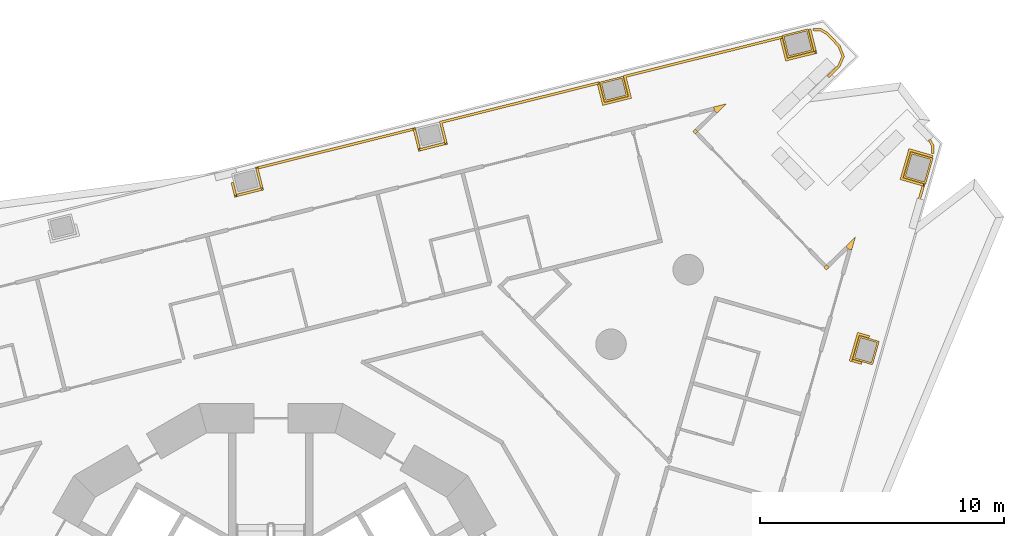
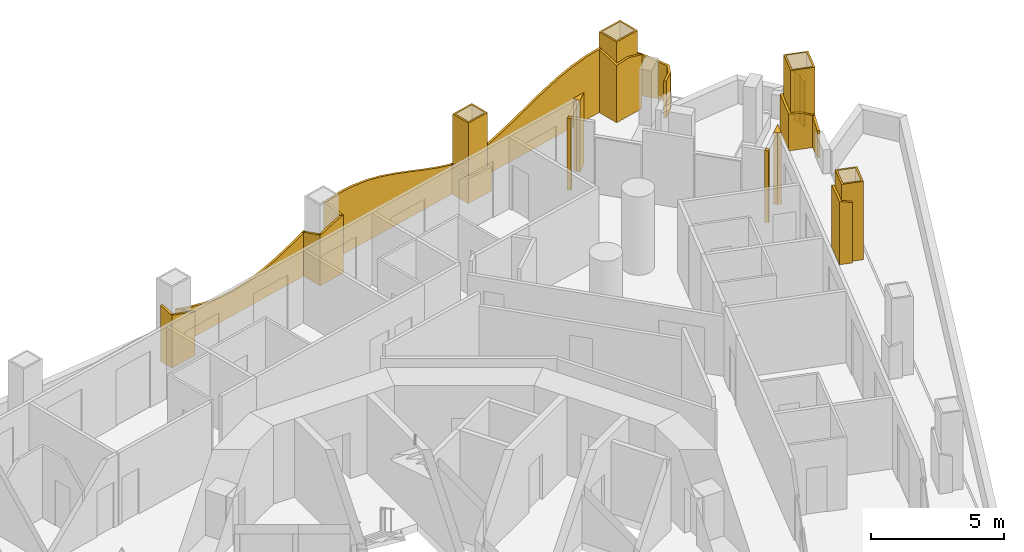
# One storey, part 18 of 19: 8 coverings, 5 railings.
"""IFC4 building model written with IfcOpenShell, lengths in metres."""

from ifc_helpers import new_model, si_unit, direction, frame, origin, place, context, subcontext, project, spatial, polyline, outline, extrude, material, layer, layer_set, type_object, element, save


model = new_model("IFC4")

# Units and contexts
model_context = context("Model", 3, precision=1e-05, world=origin(), true_north=direction((0.0, 1.0)))
body_context = subcontext(model_context, "Body", "Model", "MODEL_VIEW")
ifc_project = project(units=[si_unit("LENGTHUNIT", "METRE"), si_unit("AREAUNIT", "SQUARE_METRE"), si_unit("VOLUMEUNIT", "CUBIC_METRE"), si_unit("PLANEANGLEUNIT", "RADIAN"), si_unit("MASSUNIT", "GRAM", prefix="KILO")], contexts=[model_context])

# Site, building, storey
site_placement = place(None, origin())
site = spatial("IfcSite", under=ifc_project, at=site_placement, CompositionType="ELEMENT")
building_placement = place(site_placement, origin())
building = spatial("IfcBuilding", under=site, at=building_placement, Name="Trine Commons Tower", CompositionType="ELEMENT")
storey_placement = place(building_placement, frame((0.0, 0.0, 87.300048828125)))
storey = spatial("IfcBuildingStorey", under=building, at=storey_placement, Name="L21", CompositionType="ELEMENT", Elevation=87.300048828125)

# Coverings
ifc_material_1 = material(Name="Aluminium-framed insulated wall panel", Category="aluminium")
ifc_layer_1 = layer(ifc_material_1, 0.14990234375)
ifc_layer_set_1 = layer_set([ifc_layer_1], Name="Aluminium-framed insulated wall panel")
covering_type_1 = type_object("IfcCoveringType", Name="Glazing corner post, aluminium", PredefinedType="CLADDING", material=ifc_layer_set_1)
covering_1_placement = place(storey_placement, origin())
element("IfcCovering", 1, at=covering_1_placement, inside=storey, type_object=covering_type_1, Name="Glazing corner post 3-05", PredefinedType="CLADDING", context=body_context, shape_type="SweptSolid", body=[
    extrude(outline(polyline([(98.252197265625, 85.394775390625), (98.65478515625, 85.78369140625), (98.11181640625, 85.648193359375), (98.14794921875, 85.502685546875), (98.252197265625, 85.394775390625)])), origin(), (0.0, 0.0, 1.0), 3.300048828125),
])
covering_2_placement = place(storey_placement, origin())
element("IfcCovering", 2, at=covering_2_placement, inside=storey, type_object=covering_type_1, Name="Glazing corner post 3-06", PredefinedType="CLADDING", context=body_context, shape_type="SweptSolid", body=[
    extrude(outline(polyline([(97.36328125, 84.536376953125), (97.47119140625, 84.640380859375), (97.47119140625, 84.640380859375), (97.366943359375, 84.748291015625), (97.259033203125, 84.644287109375), (97.36328125, 84.536376953125)])), origin(), (0.0, 0.0, 1.0), 3.300048828125),
])
covering_3_placement = place(storey_placement, origin())
element("IfcCovering", 3, at=covering_3_placement, inside=storey, type_object=covering_type_1, Name="Glazing corner post 3-07", PredefinedType="CLADDING", context=body_context, shape_type="SweptSolid", body=[
    extrude(outline(polyline([(102.62890625, 79.083740234375), (102.73291015625, 78.975830078125), (102.8408203125, 79.080078125), (102.73681640625, 79.18798828125), (102.73681640625, 79.18798828125), (102.62890625, 79.083740234375)])), origin(), (0.0, 0.0, 1.0), 3.300048828125),
])
covering_4_placement = place(storey_placement, origin())
element("IfcCovering", 4, at=covering_4_placement, inside=storey, type_object=covering_type_1, Name="Glazing corner post 3-08", PredefinedType="CLADDING", context=body_context, shape_type="SweptSolid", body=[
    extrude(outline(polyline([(103.76611328125, 79.79296875), (103.92041015625, 80.3310546875), (103.517578125, 79.942138671875), (103.621826171875, 79.834228515625), (103.76611328125, 79.79296875)])), origin(), (0.0, 0.0, 1.0), 3.300048828125),
])
ifc_material_2 = material(Name="Limestone, honed", Category="masonry")
ifc_layer_2 = layer(ifc_material_2, 0.074951171875)
ifc_layer_set_2 = layer_set([ifc_layer_2], Name="Limestone, honed")
covering_type_2 = type_object("IfcCoveringType", Name="Limestone column cladding 75", PredefinedType="CLADDING", material=ifc_layer_set_2)
covering_5_placement = place(storey_placement, origin())
element("IfcCovering", 5, at=covering_5_placement, inside=storey, type_object=covering_type_2, Name="Limestone pier cladding 3-15", PredefinedType="CLADDING", context=body_context, shape_type="SweptSolid", body=[
    extrude(outline(polyline([(94.62353515625, 86.082275390625), (94.417724609375, 86.906982421875), (93.447509765625, 86.6650390625), (93.6533203125, 85.84033203125), (94.62353515625, 86.082275390625)]), holes=[polyline([(94.532470703125, 86.13671875), (94.36328125, 86.81591796875), (93.53857421875, 86.6103515625), (93.707763671875, 85.93115234375), (94.532470703125, 86.13671875)])]), origin(), (0.0, 0.0, 1.0), 3.599853515625),
])
covering_6_placement = place(storey_placement, origin())
element("IfcCovering", 6, at=covering_6_placement, inside=storey, type_object=covering_type_2, Name="Limestone pier cladding 3-16", PredefinedType="CLADDING", context=body_context, shape_type="SweptSolid", body=[
    extrude(outline(polyline([(102.211181640625, 87.922607421875), (101.9814453125, 88.84423828125), (100.9140625, 88.578125), (101.14404296875, 87.656494140625), (102.211181640625, 87.922607421875)]), holes=[polyline([(102.120361328125, 87.97705078125), (101.9267578125, 88.75341796875), (101.0048828125, 88.5234375), (101.198486328125, 87.747314453125), (102.120361328125, 87.97705078125)])]), origin(), (0.0, 0.0, 1.0), 3.599853515625),
])
covering_7_placement = place(storey_placement, origin())
element("IfcCovering", 7, at=covering_7_placement, inside=storey, type_object=covering_type_2, Name="Limestone pier cladding 3-17", PredefinedType="CLADDING", context=body_context, shape_type="SweptSolid", body=[
    extrude(outline(polyline([(107.095458984375, 83.548583984375), (106.18212890625, 83.810546875), (105.87890625, 82.753173828125), (106.792236328125, 82.4912109375), (107.095458984375, 83.548583984375)]), holes=[polyline([(107.002685546875, 83.497314453125), (106.233642578125, 83.7177734375), (105.9716796875, 82.8046875), (106.74072265625, 82.583984375), (107.002685546875, 83.497314453125)])]), origin(), (0.0, 0.0, 1.0), 3.599853515625),
])
covering_8_placement = place(storey_placement, origin())
element("IfcCovering", 8, at=covering_8_placement, inside=storey, type_object=covering_type_2, Name="Limestone pier cladding 3-18", PredefinedType="CLADDING", context=body_context, shape_type="SweptSolid", body=[
    extrude(outline(polyline([(104.895263671875, 76.057373046875), (104.078125, 76.29150390625), (103.802490234375, 75.330322265625), (104.61962890625, 75.095947265625), (104.895263671875, 76.057373046875)]), holes=[polyline([(104.802490234375, 76.005859375), (104.129638671875, 76.19873046875), (103.895263671875, 75.381591796875), (104.568115234375, 75.188720703125), (104.802490234375, 76.005859375)])]), origin(), (0.0, 0.0, 1.0), 3.599853515625),
])

# Railings
ifc_material_3 = material(Name="White powder-coated aluminium", Category="aluminium")
ifc_layer_3 = layer(ifc_material_3, 0.10009765625)
ifc_layer_set_3 = layer_set([ifc_layer_3], Name="White powder-coated aluminium")
railing_type = type_object("IfcRailingType", Name="White balustrade band 100", PredefinedType="GUARDRAIL", material=ifc_layer_set_3)
railing_1_placement = place(storey_placement, origin())
element("IfcRailing", 9, at=railing_1_placement, inside=storey, type_object=railing_type, Name="Guard band L21 11", PredefinedType="GUARDRAIL", context=body_context, shape_type="SweptSolid", body=[
    extrude(outline(polyline([(0.0, 0.0), (0.60986328125, 0.0), (0.60986328125, 2.39013671875), (0.60986328125, 2.39013671875), (0.1162109375, 2.5478515625), (0.0, 2.579345703125), (0.0, 0.0)])), frame((78.468505859375, 82.568115234375, 0.0), z_axis=(-0.970330584648, -0.241782043369, 0.0), x_axis=(0.241782043369, -0.970330584648, 0.0)), (0.0, 0.0, 1.0), 0.10009765625),
    extrude(outline(polyline([(0.0, 0.0), (1.221435546875, 0.0), (1.221435546875, 1.982666015625), (0.610595703125, 2.21044921875), (0.0, 2.42431640625), (0.0, 0.0)])), frame((78.49365234375, 82.05029296875, 0.0), z_axis=(0.242065270076, -0.970259967753, 0.0), x_axis=(0.970259967753, 0.242065270076, 0.0)), (0.0, 0.0, 1.0), 0.10009765625),
    extrude(outline(polyline([(0.0, 0.0), (0.98681640625, 0.0), (0.98681640625, 1.658935546875), (0.493408203125, 1.83642578125), (0.0, 2.02099609375), (0.0, 0.0)])), frame((79.60546875, 82.223388671875, 0.0), z_axis=(0.970287852676, 0.241953472697, 0.0), x_axis=(-0.241953472697, 0.970287852676, 0.0)), (0.0, 0.0, 1.0), 0.10009765625),
    extrude(outline(polyline([(0.0, 0.0), (6.73876953125, 0.0), (6.739013671875, 2.01708984375), (5.990234375, 1.739501953125), (5.241455078125, 1.487060546875), (4.49267578125, 1.284423828125), (3.743896484375, 1.151123046875), (2.9951171875, 1.100341796875), (2.931884765625, 1.099853515625), (2.246337890625, 1.136474609375), (1.49755859375, 1.256591796875), (0.748779296875, 1.44873046875), (0.0, 1.6943359375), (0.0, 0.0)])), frame((79.36669921875, 83.18017578125, 0.0), z_axis=(0.241904753239, -0.970300000186, 0.0), x_axis=(0.970300000186, 0.241904753239, 0.0)), (0.0, 0.0, 1.0), 0.10009765625),
    extrude(outline(polyline([(0.0, 0.0), (0.986328125, 0.0), (0.986572265625, 2.341064453125), (0.493408203125, 2.163330078125), (0.0, 1.97900390625), (0.0, 0.0)])), frame((85.904541015625, 84.810546875, 0.0), z_axis=(-0.970316975339, -0.241836654313, 0.0), x_axis=(0.241836654313, -0.970316975339, 0.0)), (0.0, 0.0, 1.0), 0.10009765625),
    extrude(outline(polyline([(0.0, 0.0), (1.2216796875, 0.0), (1.2216796875, 2.679931640625), (0.61083984375, 2.509033203125), (0.0, 2.305419921875), (0.0, 0.0)])), frame((86.02099609375, 83.927001953125, 0.0), z_axis=(0.242018331778, -0.970271676946, 0.0), x_axis=(0.970271676946, 0.242018331778, 0.0)), (0.0, 0.0, 1.0), 0.10009765625),
    extrude(outline(polyline([(0.0, 0.0), (0.987060546875, 0.0), (0.987060546875, 2.846923828125), (0.493408203125, 2.766845703125), (0.0, 2.654052734375), (0.0, 0.0)])), frame((87.1328125, 84.10009765625, 0.0), z_axis=(0.970244253099, 0.242128249754, 0.0), x_axis=(-0.242128249754, 0.970244253099, 0.0)), (0.0, 0.0, 1.0), 0.10009765625),
    extrude(outline(polyline([(0.0, 0.0), (6.739990234375, 0.0), (6.739990234375, 1.320068359375), (5.9912109375, 1.534423828125), (5.2421875, 1.7939453125), (4.493408203125, 2.073486328125), (3.744384765625, 2.345947265625), (2.99560546875, 2.584716796875), (2.24658203125, 2.766845703125), (1.497802734375, 2.87451171875), (0.927734375, 2.89990234375), (0.748779296875, 2.8974609375), (0.0, 2.833251953125), (0.0, 0.0)])), frame((86.893310546875, 85.056640625, 0.0), z_axis=(0.241930448104, -0.970293593857, 0.0), x_axis=(0.970293593857, 0.241930448104, 0.0)), (0.0, 0.0, 1.0), 0.10009765625),
    extrude(outline(polyline([(0.0, 0.0), (0.986083984375, 0.0), (0.986083984375, 1.153076171875), (0.492919921875, 1.233154296875), (0.0, 1.345703125), (0.0, 0.0)])), frame((93.431884765625, 86.687255859375, 0.0), z_axis=(-0.970302493347, -0.241894752743, 0.0), x_axis=(0.241894752743, -0.970302493347, 0.0)), (0.0, 0.0, 1.0), 0.10009765625),
    extrude(outline(polyline([(0.0, 0.0), (1.221435546875, 0.0), (1.22119140625, 1.106689453125), (0.927734375, 1.099853515625), (0.610595703125, 1.10791015625), (0.0, 1.166748046875), (0.0, 0.0)])), frame((93.54833984375, 85.803955078125, 0.0), z_axis=(0.241877080276, -0.970306898892, 0.0), x_axis=(0.970306898892, 0.241877080276, 0.0)), (0.0, 0.0, 1.0), 0.10009765625),
    extrude(outline(polyline([(0.0, 0.0), (0.986572265625, 0.0), (0.986572265625, 1.206787109375), (0.4931640625, 1.136474609375), (0.0, 1.102783203125), (0.0, 0.0)])), frame((94.659912109375, 85.97705078125, 0.0), z_axis=(0.970273364519, 0.242011566055, 0.0), x_axis=(-0.242011566055, 0.970273364519, 0.0)), (0.0, 0.0, 1.0), 0.10009765625),
    extrude(outline(polyline([(0.0, 0.0), (6.689453125, 0.0), (6.689453125, 2.895263671875), (6.446044921875, 2.89990234375), (5.9462890625, 2.88037109375), (5.202880859375, 2.78125), (4.459716796875, 2.607666015625), (3.71630859375, 2.375732421875), (2.97314453125, 2.108154296875), (2.229736328125, 1.830078125), (1.486572265625, 1.568359375), (0.743408203125, 1.34765625), (0.0, 1.189453125), (0.0, 0.0)])), frame((94.420654296875, 86.933349609375, 0.0), z_axis=(0.241934461734, -0.9702925931, 0.0), x_axis=(0.9702925931, 0.241934461734, 0.0)), (0.0, 0.0, 1.0), 0.10009765625),
    extrude(outline(polyline([(0.0, 0.0), (1.037109375, 0.0), (1.037109375, 2.6298828125), (0.5185546875, 2.780029296875), (0.0, 2.8984375), (0.0, 0.0)])), frame((100.910400390625, 88.552490234375, 0.0), z_axis=(-0.970336052502, -0.241760098476, 0.0), x_axis=(0.241760098476, -0.970336052502, 0.0)), (0.0, 0.0, 1.0), 0.10009765625),
    extrude(outline(polyline([(0.0, 0.0), (1.32177734375, 0.0), (1.32177734375, 2.48486328125), (0.660888671875, 2.673095703125), (0.0, 2.6298828125), (0.0, 0.0)])), frame((101.0390625, 87.619873046875, 0.0), z_axis=(0.241970587473, -0.970283584731, 0.0), x_axis=(0.970283584731, 0.241970587473, 0.0)), (0.0, 0.0, 1.0), 0.10009765625),
    extrude(outline(polyline([(0.0, 0.0), (1.03662109375, 0.0), (1.036865234375, 2.159912109375), (0.518310546875, 2.346435546875), (0.0, 2.516845703125), (0.0, 0.0)])), frame((102.24755859375, 87.817626953125, 0.0), z_axis=(0.970308515852, 0.241870593636, 0.0), x_axis=(-0.241870593636, 0.970308515852, 0.0)), (0.0, 0.0, 1.0), 0.10009765625),
])
railing_2_placement = place(storey_placement, origin())
element("IfcRailing", 10, at=railing_2_placement, inside=storey, type_object=railing_type, Name="Guard band L21 12", PredefinedType="GUARDRAIL", context=body_context, shape_type="SweptSolid", body=[
    extrude(outline(polyline([(0.0, 0.0), (0.33203125, 0.0), (0.33203125, 2.009765625), (0.0, 2.134033203125), (0.0, 0.0)])), frame((102.17578125, 88.8671875, 0.0), z_axis=(-0.017644311653, -0.999844327016, 0.0), x_axis=(0.999844327016, -0.017644311653, 0.0)), (0.0, 0.0, 1.0), 0.10009765625),
    extrude(outline(polyline([(0.0, 0.0), (0.33251953125, 0.0), (0.33251953125, 1.895751953125), (0.0, 2.0205078125), (0.0, 0.0)])), frame((102.50634765625, 88.862060546875, 0.0), z_axis=(-0.515467271281, -0.856909267215, 0.0), x_axis=(0.856909267215, -0.515467271281, 0.0)), (0.0, 0.0, 1.0), 0.10009765625),
    extrude(outline(polyline([(0.0, 0.0), (0.719970703125, 0.0), (0.72021484375, 1.699951171875), (0.0, 1.901123046875), (0.0, 0.0)])), frame((102.7900390625, 88.691162109375, 0.0), z_axis=(-0.71920862145, -0.694794184512, 0.0), x_axis=(0.694794184512, -0.71920862145, 0.0)), (0.0, 0.0, 1.0), 0.10009765625),
    extrude(outline(polyline([(0.0, 0.0), (0.491455078125, 0.0), (0.49169921875, 1.699951171875), (0.0, 1.699951171875), (0.0, 0.0)])), frame((103.28955078125, 88.174560546875, 0.0), z_axis=(-0.930382724631, -0.366589669396, 0.0), x_axis=(0.366589669396, -0.930382724631, 0.0)), (0.0, 0.0, 1.0), 0.10009765625),
    extrude(outline(polyline([(0.0, 0.0), (0.49169921875, 0.0), (0.49169921875, 1.699951171875), (0.0, 1.699951171875), (0.0, 0.0)])), frame((103.469482421875, 87.71875, 0.0), z_axis=(-0.916896339057, 0.399125423174, 0.0), x_axis=(-0.399125423174, -0.916896339057, 0.0)), (0.0, 0.0, 1.0), 0.10009765625),
    extrude(outline(polyline([(0.0, 0.0), (0.610595703125, 0.0), (0.610595703125, 1.699951171875), (0.0, 1.699951171875), (0.0, 0.0)])), frame((103.274169921875, 87.269775390625, 0.0), z_axis=(-0.694808516209, 0.719194775984, 0.0), x_axis=(-0.719194775984, -0.694808516209, 0.0)), (0.0, 0.0, 1.0), 0.10009765625),
])
railing_3_placement = place(storey_placement, origin())
element("IfcRailing", 11, at=railing_3_placement, inside=storey, type_object=railing_type, Name="Guard band L21 13", PredefinedType="GUARDRAIL", context=body_context, shape_type="SweptSolid", body=[
    extrude(outline(polyline([(0.0, 0.0), (0.294677734375, 0.0), (0.29443359375, 2.213134765625), (0.29443359375, 2.213134765625), (0.0, 2.318359375), (0.0, 0.0)])), frame((106.98828125, 84.330078125, 0.0), z_axis=(-0.87474273966, -0.484587597255, 0.0), x_axis=(0.484587597255, -0.87474273966, 0.0)), (0.0, 0.0, 1.0), 0.10009765625),
    extrude(outline(polyline([(0.0, 0.0), (0.332275390625, 0.0), (0.33251953125, 2.100830078125), (0.0, 2.2236328125), (0.0, 0.0)])), frame((107.130859375, 84.073974609375, 0.0), z_axis=(-0.999844555641, 0.017631351459, 0.0), x_axis=(-0.017631351459, -0.999844555641, 0.0)), (0.0, 0.0, 1.0), 0.10009765625),
])
railing_4_placement = place(storey_placement, origin())
element("IfcRailing", 12, at=railing_4_placement, inside=storey, type_object=railing_type, Name="Guard band L21 14", PredefinedType="GUARDRAIL", context=body_context, shape_type="SweptSolid", body=[
    extrude(outline(polyline([(0.0, 0.0), (1.03662109375, 0.0), (1.03662109375, 1.699951171875), (0.518310546875, 1.880126953125), (0.0, 2.074462890625), (0.0, 0.0)])), frame((107.07470703125, 83.56494140625, 0.0), z_axis=(0.275529713332, 0.961292555402, 0.0), x_axis=(-0.961292555402, 0.275529713332, 0.0)), (0.0, 0.0, 1.0), 0.10009765625),
    extrude(outline(polyline([(0.0, 0.0), (1.322021484375, 0.0), (1.322021484375, 1.699951171875), (0.660888671875, 1.699951171875), (0.0, 1.7275390625), (0.0, 0.0)])), frame((106.203125, 83.91943359375, 0.0), z_axis=(-0.961237702723, 0.275721016362, 0.0), x_axis=(-0.275721016362, -0.961237702723, 0.0)), (0.0, 0.0, 1.0), 0.10009765625),
    extrude(outline(polyline([(0.0, 0.0), (1.036376953125, 0.0), (1.036376953125, 1.425048828125), (0.518310546875, 1.6494140625), (0.0, 1.699951171875), (0.0, 0.0)])), frame((105.77001953125, 82.774169921875, 0.0), z_axis=(-0.27587219499, -0.961194325842, 0.0), x_axis=(0.961194325842, -0.27587219499, 0.0)), (0.0, 0.0, 1.0), 0.10009765625),
    extrude(outline(polyline([(0.0, 0.0), (0.815185546875, 0.0), (0.815185546875, 1.255859375), (0.743408203125, 1.27392578125), (0.0, 1.459716796875), (0.0, 0.0)])), frame((106.765625, 82.489501953125, 0.0), z_axis=(-0.961297607402, 0.275512086857, 0.0), x_axis=(-0.275512086857, -0.961297607402, 0.0)), (0.0, 0.0, 1.0), 0.10009765625),
])
railing_5_placement = place(storey_placement, origin())
element("IfcRailing", 13, at=railing_5_placement, inside=storey, type_object=railing_type, Name="Guard band L21 15", PredefinedType="GUARDRAIL", context=body_context, shape_type="SweptSolid", body=[
    extrude(outline(polyline([(0.0, 0.0), (0.515869140625, 0.0), (0.515869140625, 2.84765625), (0.022705078125, 2.76806640625), (0.0, 2.762939453125), (0.0, 0.0)])), frame((104.469970703125, 76.189453125, 0.0), z_axis=(0.275908524216, 0.961183898255, 0.0), x_axis=(-0.961183898255, 0.275908524216, 0.0)), (0.0, 0.0, 1.0), 0.10009765625),
    extrude(outline(polyline([(0.0, 0.0), (1.2216796875, 0.0), (1.221435546875, 2.892822265625), (0.920654296875, 2.89990234375), (0.61083984375, 2.892333984375), (0.0, 2.834228515625), (0.0, 0.0)])), frame((104.098876953125, 76.400634765625, 0.0), z_axis=(-0.961274684281, 0.275592056055, 0.0), x_axis=(-0.275592056055, -0.961274684281, 0.0)), (0.0, 0.0, 1.0), 0.10009765625),
    extrude(outline(polyline([(0.0, 0.0), (0.515625, 0.0), (0.515625, 2.780517578125), (0.493408203125, 2.780029296875), (0.0, 2.89697265625), (0.0, 0.0)])), frame((103.693359375, 75.351318359375, 0.0), z_axis=(-0.275596604579, -0.961273380233, 0.0), x_axis=(0.961273380233, -0.275596604579, 0.0)), (0.0, 0.0, 1.0), 0.10009765625),
])

save(model, "model.ifc")
